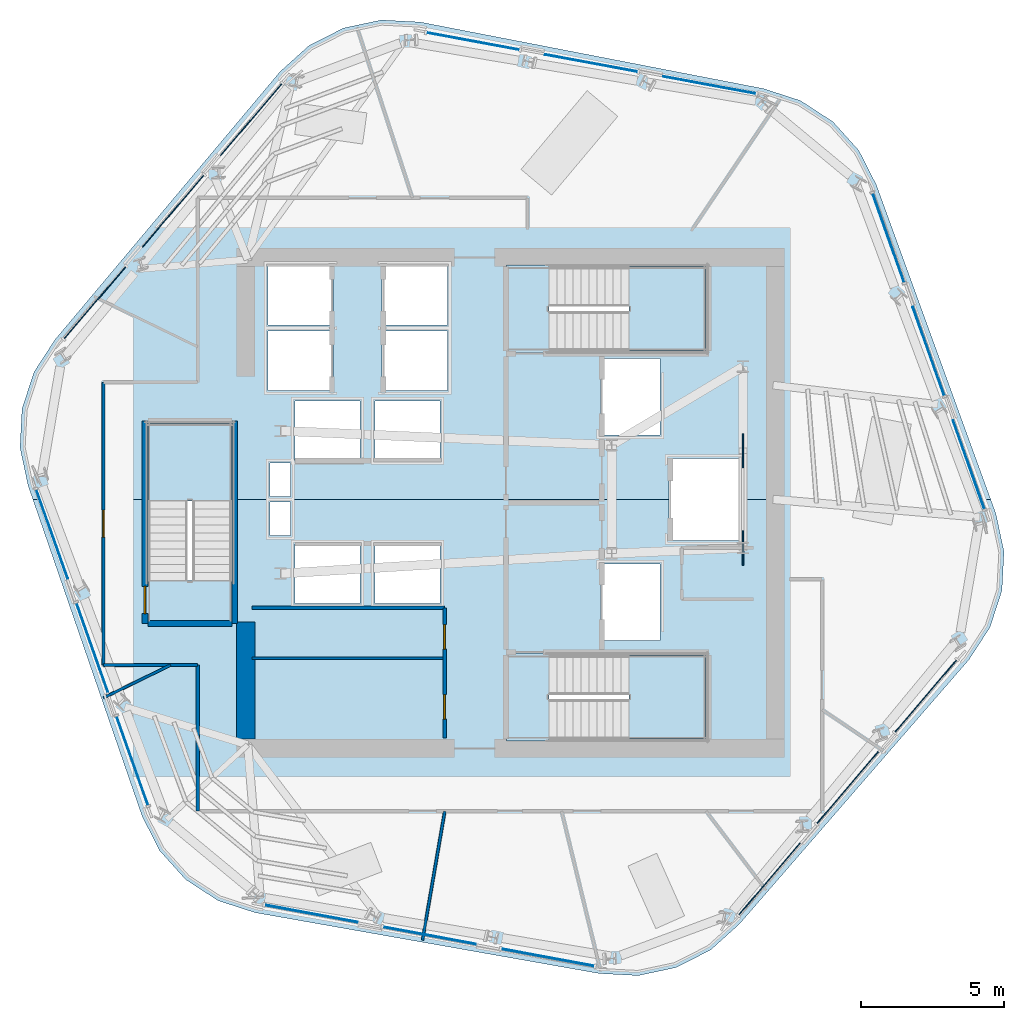
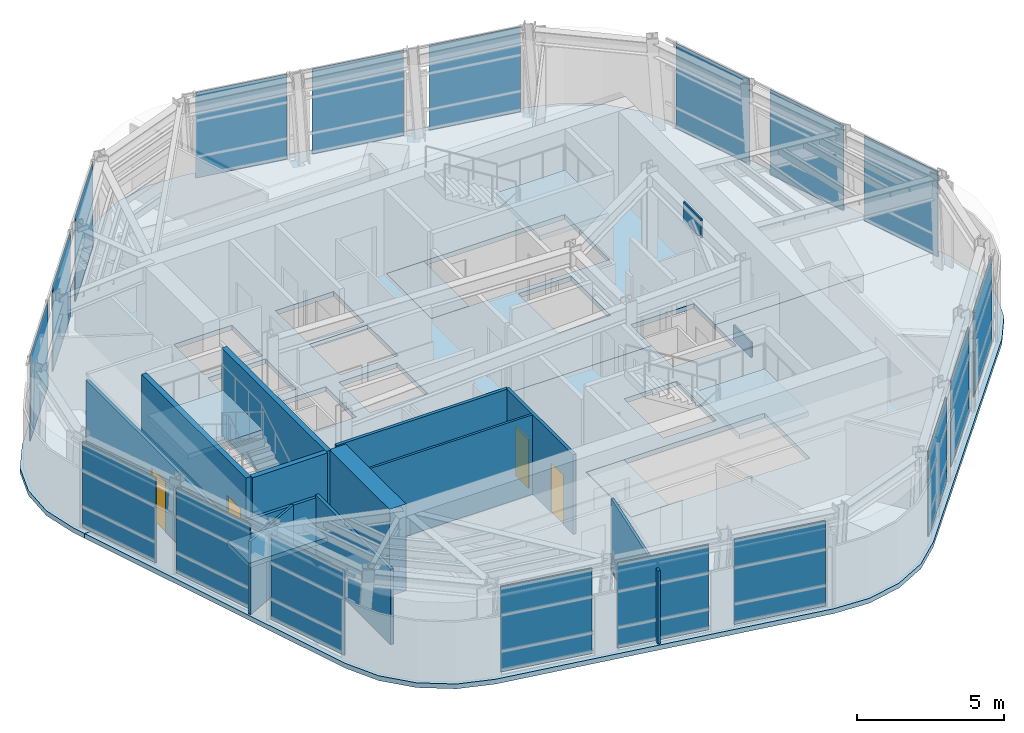
# One storey, part 5 of 12: 20 plates, 12 walls, 8 slabs, 4 doors, 4 openings, 9 elements without a shape of their own.
"""IFC4 building model written with IfcOpenShell, lengths in metres."""

import ifcopenshell
import ifcopenshell.guid

model = None  # the IFC model being written
_history = None  # IfcOwnerHistory: only IFC2X3 demands one
_inside = {}  # id of a spatial element -> (the spatial element, [elements in it])
_under = {}  # id of a project, library or spatial element -> (it, [spatial elements below it])
_declared = {}  # id of a project -> (the project, [libraries it declares])
_typed = {}  # id of a type object -> (the type object, [elements of that type])
_made_of = {}  # id of a material, layer set ... -> (it, [elements and type objects made of it])


def new_model(schema):
    """Start an empty IFC model of exactly this schema.

    Asked for "IFC4X3", IfcOpenShell would pick the latest addendum, in which some entities
    have other attributes; the version numbers below select the first issue.
    IFC2X3 requires an IfcOwnerHistory on every rooted entity: one is made here for all.
    """
    global model, _history
    if schema == "IFC4X3":
        model = ifcopenshell.file(schema_version=(4, 3, 0, 0))
    else:
        model = ifcopenshell.file(schema=schema)
    _inside.clear()
    _under.clear()
    _declared.clear()
    _typed.clear()
    _made_of.clear()
    _history = None
    if model.schema == "IFC2X3":
        org = make("IfcOrganization", Name="unknown")
        user = make(
            "IfcPersonAndOrganization",
            ThePerson=make("IfcPerson", FamilyName="unknown"),
            TheOrganization=org,
        )
        app = make(
            "IfcApplication",
            ApplicationDeveloper=org,
            Version="unknown",
            ApplicationFullName="unknown",
            ApplicationIdentifier="unknown",
        )
        _history = make(
            "IfcOwnerHistory",
            OwningUser=user,
            OwningApplication=app,
            ChangeAction="ADDED",
            CreationDate=0,
        )
    return model


def make(cls, **values):
    """One entity of the class cls with the attributes given. An attribute that is None is left unset."""
    return model.create_entity(
        cls, **{name: value for name, value in values.items() if value is not None}
    )


def rooted(cls, **values):
    """An entity with a GlobalId (a new one), such as an element, a storey or a relation."""
    return make(cls, GlobalId=ifcopenshell.guid.new(), OwnerHistory=_history, **values)


def si_unit(unit_type, name, prefix=None):
    """IfcSIUnit, for example si_unit("LENGTHUNIT", "METRE", prefix="MILLI")."""
    return make("IfcSIUnit", UnitType=unit_type, Prefix=prefix, Name=name)


def assignment(units):
    """IfcUnitAssignment: the units of a project."""
    return None if units is None else make("IfcUnitAssignment", Units=units)


def point(xyz):
    """IfcCartesianPoint."""
    return None if xyz is None else make("IfcCartesianPoint", Coordinates=xyz)


def direction(xyz):
    """IfcDirection."""
    return None if xyz is None else make("IfcDirection", DirectionRatios=xyz)


def frame(location, z_axis=None, x_axis=None):
    """IfcAxis2Placement3D, a coordinate frame: its origin and axes. An axis left out is left unset."""
    return make(
        "IfcAxis2Placement3D",
        Location=point(location),
        Axis=direction(z_axis),
        RefDirection=direction(x_axis),
    )


def frame_2d(location, x_axis=None):
    """IfcAxis2Placement2D, a coordinate frame in the plane: its origin and x axis."""
    return make(
        "IfcAxis2Placement2D", Location=point(location), RefDirection=direction(x_axis)
    )


def origin():
    """The frame at (0, 0, 0) with its axes left unset."""
    return frame((0.0, 0.0, 0.0))


def origin_2d():
    """The frame at (0, 0) in the plane with its x axis left unset."""
    return frame_2d((0.0, 0.0))


def place(relative_to, where):
    """IfcLocalPlacement: puts the frame where relative to a parent placement (None: the world)."""
    return make(
        "IfcLocalPlacement", PlacementRelTo=relative_to, RelativePlacement=where
    )


def context(
    kind, dimensions, precision=None, world=None, true_north=None, identifier=None
):
    """IfcGeometricRepresentationContext, for example the 3D "Model" context."""
    return make(
        "IfcGeometricRepresentationContext",
        ContextIdentifier=identifier,
        ContextType=kind,
        CoordinateSpaceDimension=dimensions,
        Precision=precision,
        WorldCoordinateSystem=world,
        TrueNorth=true_north,
    )


def subcontext(parent, identifier, kind, view, scale=None):
    """IfcGeometricRepresentationSubContext, for example "Body" below "Model"."""
    return make(
        "IfcGeometricRepresentationSubContext",
        ContextIdentifier=identifier,
        ContextType=kind,
        ParentContext=parent,
        TargetScale=scale,
        TargetView=view,
    )


def project(units=None, contexts=None):
    """IfcProject with its units and contexts."""
    return rooted(
        "IfcProject",
        Name="project",
        RepresentationContexts=contexts,
        UnitsInContext=assignment(units),
    )


def spatial(cls, under=None, at=None, **own):
    """A site, building, storey or space (cls), placed at a placement, below another one or the project."""
    s = rooted(cls, ObjectPlacement=at, **own)
    if under is not None:
        _under.setdefault(under.id(), (under, []))[1].append(s)
    return s


def polyline(points):
    """IfcPolyline through the points."""
    return make("IfcPolyline", Points=[point(p) for p in points])


def profile(cls, at=None, kind="AREA", **sizes):
    """A parametric profile (cls). Its sizes go by their IFC names, for example OverallWidth=200.0."""
    return make(cls, ProfileType=kind, Position=at, **sizes)


def rectangle(**sizes):
    """IfcRectangleProfileDef."""
    return profile("IfcRectangleProfileDef", **sizes)


def outline(outer, holes=None, kind="AREA"):
    """IfcArbitraryClosedProfileDef: a profile drawn as a closed curve; with holes, ...WithVoids."""
    if holes is None:
        return make("IfcArbitraryClosedProfileDef", ProfileType=kind, OuterCurve=outer)
    return make(
        "IfcArbitraryProfileDefWithVoids",
        ProfileType=kind,
        OuterCurve=outer,
        InnerCurves=holes,
    )


def extrude(swept, where, along, depth):
    """IfcExtrudedAreaSolid: the profile swept, set in the frame where, extruded along a direction by depth."""
    return make(
        "IfcExtrudedAreaSolid",
        SweptArea=swept,
        Position=where,
        ExtrudedDirection=direction(along),
        Depth=depth,
    )


def shape(context_of_items, identifier, shape_type, items):
    """IfcShapeRepresentation: the items that make up one representation, for example the "Body"."""
    return make(
        "IfcShapeRepresentation",
        ContextOfItems=context_of_items,
        RepresentationIdentifier=identifier,
        RepresentationType=shape_type,
        Items=items,
    )


def material(Name=None, Category=None):
    """IfcMaterial."""
    return make("IfcMaterial", Name=Name, Category=Category)


def layer(
    of_material, thickness, ventilated=None, Name=None, Category=None, Priority=None
):
    """IfcMaterialLayer: one layer of a wall or slab, of a material (None: an air gap)."""
    return make(
        "IfcMaterialLayer",
        Material=of_material,
        LayerThickness=thickness,
        IsVentilated=ventilated,
        Name=Name,
        Category=Category,
        Priority=Priority,
    )


def layer_set(layers, Name=None):
    """IfcMaterialLayerSet."""
    return make("IfcMaterialLayerSet", MaterialLayers=layers, LayerSetName=Name)


def made_of(thing, what):
    """Note that an element or type object is made of a material, layer set ...; save() writes the relation."""
    if what is not None:
        _made_of.setdefault(what.id(), (what, []))[1].append(thing)
    return thing


def type_object(cls, material=None, **own):
    """A type object (cls), such as IfcWallType, which elements share."""
    return made_of(rooted(cls, **own), material)


def element(
    cls,
    number,
    at=None,
    inside=None,
    cuts=None,
    type_object=None,
    material=None,
    context=None,
    identifier="Body",
    shape_type=None,
    held_by="IfcProductDefinitionShape",
    body=None,
    shapes=None,
    **own,
):
    """One element of the class cls, such as IfcWall. Its Tag is "e" and its number.

    at: its placement. inside: the storey or other place that contains it. cuts: it is an
    opening in that element (IfcRelVoidsElement). A single representation is given by context,
    identifier, shape_type and body (its items); several are given by shapes. held_by: the class
    of the entity that holds the representations. save() writes the other relations.
    """
    e = rooted(cls, Tag="e%d" % number, ObjectPlacement=at, **own)
    if body is not None:
        shapes = [shape(context, identifier, shape_type, body)]
    if shapes is not None:
        e.Representation = make(held_by, Representations=shapes)
    if inside is not None:
        _inside.setdefault(inside.id(), (inside, []))[1].append(e)
    if cuts is not None:
        rooted(
            "IfcRelVoidsElement", RelatingBuildingElement=cuts, RelatedOpeningElement=e
        )
    if type_object is not None:
        _typed.setdefault(type_object.id(), (type_object, []))[1].append(e)
    return made_of(e, material)


def fill(opening, filler):
    """IfcRelFillsElement: the door or window that sits in an opening."""
    return rooted(
        "IfcRelFillsElement",
        RelatingOpeningElement=opening,
        RelatedBuildingElement=filler,
    )


def aggregate(whole, parts):
    """IfcRelAggregates: a whole, such as a stair, and the parts it consists of."""
    return rooted("IfcRelAggregates", RelatingObject=whole, RelatedObjects=parts)


def save(model, path):
    """Write the relations noted so far, then the file.

    IfcRelAggregates (storeys below a building ...), IfcRelContainedInSpatialStructure (elements
    in a storey), IfcRelDefinesByType, IfcRelAssociatesMaterial and IfcRelDeclares: one each for
    every whole, place, type object, material and project.
    """
    for whole, parts in _under.values():
        aggregate(whole, parts)
    for where, things in _inside.values():
        rooted(
            "IfcRelContainedInSpatialStructure",
            RelatedElements=things,
            RelatingStructure=where,
        )
    for kind, things in _typed.values():
        rooted("IfcRelDefinesByType", RelatedObjects=things, RelatingType=kind)
    for what, things in _made_of.values():
        rooted("IfcRelAssociatesMaterial", RelatedObjects=things, RelatingMaterial=what)
    for by, libraries in _declared.values():
        rooted("IfcRelDeclares", RelatingContext=by, RelatedDefinitions=libraries)
    model.write(path)


model = new_model("IFC4")

# Units and contexts
model_context = context("Model", 3, precision=1e-05, world=origin(), true_north=direction((0.0, 1.0)))
body_context = subcontext(model_context, "Body", "Model", "MODEL_VIEW")
ifc_project = project(units=[si_unit("LENGTHUNIT", "METRE"), si_unit("AREAUNIT", "SQUARE_METRE"), si_unit("VOLUMEUNIT", "CUBIC_METRE"), si_unit("PLANEANGLEUNIT", "RADIAN"), si_unit("MASSUNIT", "GRAM", prefix="KILO")], contexts=[model_context])

# Site, building, storey
site_placement = place(None, origin())
site = spatial("IfcSite", under=ifc_project, at=site_placement, CompositionType="ELEMENT")
building_placement = place(site_placement, origin())
building = spatial("IfcBuilding", under=site, at=building_placement, Name="Valkerne Bourse Tower", CompositionType="ELEMENT")
storey_placement = place(building_placement, frame((0.0, 0.0, 236.0)))
storey = spatial("IfcBuildingStorey", under=building, at=storey_placement, Name="L60", CompositionType="ELEMENT", Elevation=236.0)

# Curtain wall, plates
ifc_material_1 = material(Name="Aluminium AA 6063-T6", Category="aluminium")
ifc_layer_1 = layer(ifc_material_1, 0.239990234375)
ifc_layer_set_1 = layer_set([ifc_layer_1], Name="Aluminium AA 6063-T6")
curtain_wall_type = type_object("IfcCurtainWallType", Name="CW-04", PredefinedType="NOTDEFINED", material=ifc_layer_set_1)
curtain_wall_1_placement = place(storey_placement, origin())
curtain_wall_1 = element("IfcCurtainWall", 1, at=curtain_wall_1_placement, inside=storey, type_object=curtain_wall_type, Name="L60 Hexagonal Stick Curtain Wall Face 1", PredefinedType="NOTDEFINED")
ifc_material_2 = material(Name="Glass IGU Low-E Double Glazed", Category="glass")
ifc_layer_2 = layer(ifc_material_2, 0.031982421875)
ifc_layer_set_2 = layer_set([ifc_layer_2], Name="Glass IGU Low-E Double Glazed")
plate_type_1 = type_object("IfcPlateType", Name="CW-PNL-IGU-32", PredefinedType="CURTAIN_PANEL", material=ifc_layer_set_2)
plate_1_placement = place(storey_placement, frame((53.773193359375, 41.510986328125, 0.030029296875), z_axis=(0.0, 0.0, 1.0), x_axis=(-0.983254127122, 0.182239736328, 0.0)))
plate_1 = element("IfcPlate", 2, at=plate_1_placement, type_object=plate_type_1, Name="CW-L60-F1 Curtain Panel 00", PredefinedType="CURTAIN_PANEL", context=body_context, shape_type="SweptSolid", body=[
    extrude(rectangle(XDim=3.2919921875, YDim=0.031982421875, at=origin_2d()), origin(), (0.0, 0.0, 1.0), 3.5400390625),
])
plate_2_placement = place(storey_placement, frame((49.631591796875, 42.278564453125, 0.030029296875), z_axis=(0.0, 0.0, 1.0), x_axis=(-0.983258381066, 0.182216783154, 0.0)))
plate_2 = element("IfcPlate", 3, at=plate_2_placement, type_object=plate_type_1, Name="CW-L60-F1 Curtain Panel 01", PredefinedType="CURTAIN_PANEL", context=body_context, shape_type="SweptSolid", body=[
    extrude(rectangle(XDim=3.2919921875, YDim=0.031982421875, at=origin_2d()), origin(), (0.0, 0.0, 1.0), 3.5400390625),
])
plate_3_placement = place(storey_placement, frame((45.490234375, 43.046142578125, 0.030029296875), z_axis=(0.0, 0.0, 1.0), x_axis=(-0.983254127122, 0.182239736328, 0.0)))
plate_3 = element("IfcPlate", 4, at=plate_3_placement, type_object=plate_type_1, Name="CW-L60-F1 Curtain Panel 02", PredefinedType="CURTAIN_PANEL", context=body_context, shape_type="SweptSolid", body=[
    extrude(rectangle(XDim=3.2919921875, YDim=0.031982421875, at=origin_2d()), origin(), (0.0, 0.0, 1.0), 3.5400390625),
])
aggregate(curtain_wall_1, [plate_1, plate_2, plate_3])

curtain_wall_2_placement = place(storey_placement, origin())
curtain_wall_2 = element("IfcCurtainWall", 5, at=curtain_wall_2_placement, inside=storey, type_object=curtain_wall_type, Name="L60 Hexagonal Stick Curtain Wall Face 2", PredefinedType="NOTDEFINED")
plate_4_placement = place(storey_placement, frame((37.7197265625, 40.29443359375, 0.030029296875), z_axis=(0.0, 0.0, 1.0), x_axis=(-0.649454964486, -0.760400058591, 0.0)))
plate_4 = element("IfcPlate", 6, at=plate_4_placement, type_object=plate_type_1, Name="CW-L60-F2 Curtain Panel 00", PredefinedType="CURTAIN_PANEL", context=body_context, shape_type="SweptSolid", body=[
    extrude(rectangle(XDim=3.2919921875, YDim=0.031982421875, at=origin_2d()), origin(), (0.0, 0.0, 1.0), 3.5400390625),
])
plate_5_placement = place(storey_placement, frame((34.984130859375, 37.091552734375, 0.030029296875), z_axis=(0.0, 0.0, 1.0), x_axis=(-0.649454964486, -0.760400058591, 0.0)))
plate_5 = element("IfcPlate", 7, at=plate_5_placement, type_object=plate_type_1, Name="CW-L60-F2 Curtain Panel 01", PredefinedType="CURTAIN_PANEL", context=body_context, shape_type="SweptSolid", body=[
    extrude(rectangle(XDim=3.2919921875, YDim=0.031982421875, at=origin_2d()), origin(), (0.0, 0.0, 1.0), 3.5400390625),
])
plate_6_placement = place(storey_placement, frame((32.248779296875, 33.888916015625, 0.030029296875), z_axis=(0.0, 0.0, 1.0), x_axis=(-0.649441236502, -0.760411783398, 0.0)))
plate_6 = element("IfcPlate", 8, at=plate_6_placement, type_object=plate_type_1, Name="CW-L60-F2 Curtain Panel 02", PredefinedType="CURTAIN_PANEL", context=body_context, shape_type="SweptSolid", body=[
    extrude(rectangle(XDim=3.2919921875, YDim=0.031982421875, at=origin_2d()), origin(), (0.0, 0.0, 1.0), 3.5400390625),
])
aggregate(curtain_wall_2, [plate_4, plate_5, plate_6])

curtain_wall_3_placement = place(storey_placement, origin())
curtain_wall_3 = element("IfcCurtainWall", 9, at=curtain_wall_3_placement, inside=storey, type_object=curtain_wall_type, Name="L60 Hexagonal Stick Curtain Wall Face 3", PredefinedType="NOTDEFINED")
plate_7_placement = place(storey_placement, frame((30.74658203125, 25.783447265625, 0.030029296875), z_axis=(0.0, 0.0, 1.0), x_axis=(0.333808466695, -0.942640921859, 0.0)))
plate_7 = element("IfcPlate", 10, at=plate_7_placement, type_object=plate_type_1, Name="CW-L60-F3 Curtain Panel 00", PredefinedType="CURTAIN_PANEL", context=body_context, shape_type="SweptSolid", body=[
    extrude(rectangle(XDim=3.2919921875, YDim=0.031982421875, at=origin_2d()), origin(), (0.0, 0.0, 1.0), 3.5400390625),
])
plate_8_placement = place(storey_placement, frame((32.152587890625, 21.81298828125, 0.030029296875), z_axis=(0.0, 0.0, 1.0), x_axis=(0.333808466695, -0.942640921859, 0.0)))
plate_8 = element("IfcPlate", 11, at=plate_8_placement, type_object=plate_type_1, Name="CW-L60-F3 Curtain Panel 01", PredefinedType="CURTAIN_PANEL", context=body_context, shape_type="SweptSolid", body=[
    extrude(rectangle(XDim=3.2919921875, YDim=0.031982421875, at=origin_2d()), origin(), (0.0, 0.0, 1.0), 3.5400390625),
])
plate_9_placement = place(storey_placement, frame((33.55859375, 17.842529296875, 0.030029296875), z_axis=(0.0, 0.0, 1.0), x_axis=(0.33380099624, -0.942643567267, 0.0)))
plate_9 = element("IfcPlate", 12, at=plate_9_placement, type_object=plate_type_1, Name="CW-L60-F3 Curtain Panel 02", PredefinedType="CURTAIN_PANEL", context=body_context, shape_type="SweptSolid", body=[
    extrude(rectangle(XDim=3.2919921875, YDim=0.031982421875, at=origin_2d()), origin(), (0.0, 0.0, 1.0), 3.5400390625),
])
aggregate(curtain_wall_3, [plate_7, plate_8, plate_9])

curtain_wall_4_placement = place(storey_placement, origin())
curtain_wall_4 = element("IfcCurtainWall", 13, at=curtain_wall_4_placement, inside=storey, type_object=curtain_wall_type, Name="L60 Hexagonal Stick Curtain Wall Face 4", PredefinedType="NOTDEFINED")
plate_10_placement = place(storey_placement, frame((39.826904296875, 12.489013671875, 0.030029296875), z_axis=(0.0, 0.0, 1.0), x_axis=(0.983254127122, -0.182239736328, 0.0)))
plate_10 = element("IfcPlate", 14, at=plate_10_placement, type_object=plate_type_1, Name="CW-L60-F4 Curtain Panel 00", PredefinedType="CURTAIN_PANEL", context=body_context, shape_type="SweptSolid", body=[
    extrude(rectangle(XDim=3.2919921875, YDim=0.031982421875, at=origin_2d()), origin(), (0.0, 0.0, 1.0), 3.5400390625),
])
plate_11_placement = place(storey_placement, frame((43.96826171875, 11.721435546875, 0.030029296875), z_axis=(0.0, 0.0, 1.0), x_axis=(0.983258381066, -0.182216783154, 0.0)))
plate_11 = element("IfcPlate", 15, at=plate_11_placement, type_object=plate_type_1, Name="CW-L60-F4 Curtain Panel 01", PredefinedType="CURTAIN_PANEL", context=body_context, shape_type="SweptSolid", body=[
    extrude(rectangle(XDim=3.2919921875, YDim=0.031982421875, at=origin_2d()), origin(), (0.0, 0.0, 1.0), 3.5400390625),
])
plate_12_placement = place(storey_placement, frame((48.10986328125, 10.953857421875, 0.030029296875), z_axis=(0.0, 0.0, 1.0), x_axis=(0.983254127122, -0.182239736328, 0.0)))
plate_12 = element("IfcPlate", 16, at=plate_12_placement, type_object=plate_type_1, Name="CW-L60-F4 Curtain Panel 02", PredefinedType="CURTAIN_PANEL", context=body_context, shape_type="SweptSolid", body=[
    extrude(rectangle(XDim=3.2919921875, YDim=0.031982421875, at=origin_2d()), origin(), (0.0, 0.0, 1.0), 3.5400390625),
])
aggregate(curtain_wall_4, [plate_10, plate_11, plate_12])

curtain_wall_5_placement = place(storey_placement, origin())
curtain_wall_5 = element("IfcCurtainWall", 17, at=curtain_wall_5_placement, inside=storey, type_object=curtain_wall_type, Name="L60 Hexagonal Stick Curtain Wall Face 5", PredefinedType="NOTDEFINED")
plate_13_placement = place(storey_placement, frame((55.88037109375, 13.70556640625, 0.030029296875), z_axis=(0.0, 0.0, 1.0), x_axis=(0.649454964486, 0.760400058591, 0.0)))
plate_13 = element("IfcPlate", 18, at=plate_13_placement, type_object=plate_type_1, Name="CW-L60-F5 Curtain Panel 00", PredefinedType="CURTAIN_PANEL", context=body_context, shape_type="SweptSolid", body=[
    extrude(rectangle(XDim=3.2919921875, YDim=0.031982421875, at=origin_2d()), origin(), (0.0, 0.0, 1.0), 3.5400390625),
])
plate_14_placement = place(storey_placement, frame((58.61572265625, 16.908447265625, 0.030029296875), z_axis=(0.0, 0.0, 1.0), x_axis=(0.649454964486, 0.760400058591, 0.0)))
plate_14 = element("IfcPlate", 19, at=plate_14_placement, type_object=plate_type_1, Name="CW-L60-F5 Curtain Panel 01", PredefinedType="CURTAIN_PANEL", context=body_context, shape_type="SweptSolid", body=[
    extrude(rectangle(XDim=3.2919921875, YDim=0.031982421875, at=origin_2d()), origin(), (0.0, 0.0, 1.0), 3.5400390625),
])
plate_15_placement = place(storey_placement, frame((61.351318359375, 20.111083984375, 0.030029296875), z_axis=(0.0, 0.0, 1.0), x_axis=(0.649441236502, 0.760411783398, 0.0)))
plate_15 = element("IfcPlate", 20, at=plate_15_placement, type_object=plate_type_1, Name="CW-L60-F5 Curtain Panel 02", PredefinedType="CURTAIN_PANEL", context=body_context, shape_type="SweptSolid", body=[
    extrude(rectangle(XDim=3.2919921875, YDim=0.031982421875, at=origin_2d()), origin(), (0.0, 0.0, 1.0), 3.5400390625),
])
aggregate(curtain_wall_5, [plate_13, plate_14, plate_15])

curtain_wall_6_placement = place(storey_placement, origin())
curtain_wall_6 = element("IfcCurtainWall", 21, at=curtain_wall_6_placement, inside=storey, type_object=curtain_wall_type, Name="L60 Hexagonal Stick Curtain Wall Face 6", PredefinedType="NOTDEFINED")
plate_16_placement = place(storey_placement, frame((62.853515625, 28.216552734375, 0.030029296875), z_axis=(0.0, 0.0, 1.0), x_axis=(-0.333808466695, 0.942640921859, 0.0)))
plate_16 = element("IfcPlate", 22, at=plate_16_placement, type_object=plate_type_1, Name="CW-L60-F6 Curtain Panel 00", PredefinedType="CURTAIN_PANEL", context=body_context, shape_type="SweptSolid", body=[
    extrude(rectangle(XDim=3.2919921875, YDim=0.031982421875, at=origin_2d()), origin(), (0.0, 0.0, 1.0), 3.5400390625),
])
plate_17_placement = place(storey_placement, frame((61.447509765625, 32.18701171875, 0.030029296875), z_axis=(0.0, 0.0, 1.0), x_axis=(-0.333808466695, 0.942640921859, 0.0)))
plate_17 = element("IfcPlate", 23, at=plate_17_placement, type_object=plate_type_1, Name="CW-L60-F6 Curtain Panel 01", PredefinedType="CURTAIN_PANEL", context=body_context, shape_type="SweptSolid", body=[
    extrude(rectangle(XDim=3.2919921875, YDim=0.031982421875, at=origin_2d()), origin(), (0.0, 0.0, 1.0), 3.5400390625),
])
plate_18_placement = place(storey_placement, frame((60.04150390625, 36.1572265625, 0.030029296875), z_axis=(0.0, 0.0, 1.0), x_axis=(-0.33380099624, 0.942643567267, 0.0)))
plate_18 = element("IfcPlate", 24, at=plate_18_placement, type_object=plate_type_1, Name="CW-L60-F6 Curtain Panel 02", PredefinedType="CURTAIN_PANEL", context=body_context, shape_type="SweptSolid", body=[
    extrude(rectangle(XDim=3.2919921875, YDim=0.031982421875, at=origin_2d()), origin(), (0.0, 0.0, 1.0), 3.5400390625),
])
aggregate(curtain_wall_6, [plate_16, plate_17, plate_18])

# Plates
ifc_material_3 = material(Name="Steel ASTM A572 Grade 50", Category="steel")
ifc_layer_3 = layer(ifc_material_3, 0.06005859375)
ifc_layer_set_3 = layer_set([ifc_layer_3], Name="Steel ASTM A572 Grade 50")
plate_type_2 = type_object("IfcPlateType", Name="PLT-GUS-60", PredefinedType="SHEET", material=ifc_layer_set_3)
for number, where, z_axis, x_axis, name in (
    (25, (54.949951171875, 25.300048828125, -0.18017578125), (0.0, 0.0, 1.0), (0.0, 1.0, 0.0), "L60 Brace Node Gusset Plate PLT-GUS-END-L60-436"),
    (26, (54.949951171875, 28.699951171875, 2.89404296875), (0.0, 0.0, 1.0), (0.0, 1.0, 0.0), "L60 Brace Node Gusset Plate PLT-GUS-END-L60-437"),
):
    element("IfcPlate", number, at=place(storey_placement, frame(where, z_axis=z_axis, x_axis=x_axis)), inside=storey, type_object=plate_type_2, Name=name, PredefinedType="SHEET", context=body_context, shape_type="SweptSolid", body=[
        extrude(rectangle(XDim=1.199951171875, YDim=0.06005859375, at=origin_2d()), origin(), (0.0, 0.0, 1.0), 0.800048828125),
    ])

# Slabs
ifc_material_4 = material(Name="Concrete C40/50", Category="concrete")
ifc_layer_4 = layer(ifc_material_4, 0.25)
ifc_layer_set_4 = layer_set([ifc_layer_4], Name="Concrete C40/50")
slab_type_1 = type_object("IfcSlabType", Name="SLB-RMP-LND-250", PredefinedType="LANDING", material=ifc_layer_set_4)
slab_1_placement = place(storey_placement, frame((0.0, 0.0, -0.199951171875)))
element("IfcSlab", 27, at=slab_1_placement, inside=storey, type_object=slab_type_1, Name="L60 ST-1 Floor Landing Slab", PredefinedType="LANDING", context=body_context, shape_type="SweptSolid", body=[
    extrude(outline(polyline([(46.669921875, 18.5400390625), (48.14990234375, 18.5400390625), (48.14990234375, 21.610107421875), (46.669921875, 21.610107421875), (46.669921875, 18.5400390625)])), origin(), (0.0, 0.0, 1.0), 0.199951171875),
])
slab_2_placement = place(storey_placement, frame((0.0, 0.0, -0.199951171875)))
element("IfcSlab", 28, at=slab_2_placement, inside=storey, type_object=slab_type_1, Name="L60 ST-2 Floor Landing Slab", PredefinedType="LANDING", context=body_context, shape_type="SweptSolid", body=[
    extrude(outline(polyline([(46.669921875, 32.139892578125), (48.14990234375, 32.139892578125), (48.14990234375, 35.2099609375), (46.669921875, 35.2099609375), (46.669921875, 32.139892578125)])), origin(), (0.0, 0.0, 1.0), 0.199951171875),
])
slab_3_placement = place(storey_placement, frame((0.0, 0.0, -0.199951171875)))
element("IfcSlab", 29, at=slab_3_placement, inside=storey, type_object=slab_type_1, Name="L60 ST-3 Floor Landing Slab", PredefinedType="LANDING", context=body_context, shape_type="SweptSolid", body=[
    extrude(outline(polyline([(37.110107421875, 22.669921875), (37.110107421875, 24.14990234375), (34.0400390625, 24.14990234375), (34.0400390625, 22.669921875), (37.110107421875, 22.669921875)])), origin(), (0.0, 0.0, 1.0), 0.199951171875),
])

# Stair, slab
stair_type = type_object("IfcStairType", Name="ST-CORE-1400", PredefinedType="HALF_TURN_STAIR", material=ifc_material_4)
stair_1_placement = place(storey_placement, origin())
stair_1 = element("IfcStair", 30, at=stair_1_placement, inside=storey, type_object=stair_type, Name="L60 ST-1", PredefinedType="HALF_TURN_STAIR")
ifc_layer_5 = layer(ifc_material_4, 0.179931640625)
ifc_layer_set_5 = layer_set([ifc_layer_5], Name="Concrete C40/50")
slab_type_2 = type_object("IfcSlabType", Name="SLB-ST-LND-180", PredefinedType="LANDING", material=ifc_layer_set_5)
slab_4_placement = place(storey_placement, frame((0.0, 0.0, 1.699951171875)))
slab_4 = element("IfcSlab", 31, at=slab_4_placement, type_object=slab_type_2, Name="ST-1 landing 1", PredefinedType="LANDING", context=body_context, shape_type="SweptSolid", body=[
    extrude(outline(polyline([(50.949951171875, 18.60009765625), (53.64990234375, 18.60009765625), (53.64990234375, 21.550048828125), (50.949951171875, 21.550048828125), (50.949951171875, 18.60009765625)])), origin(), (0.0, 0.0, 1.0), 0.199951171875),
])
aggregate(stair_1, [slab_4])

stair_2_placement = place(storey_placement, origin())
stair_2 = element("IfcStair", 32, at=stair_2_placement, inside=storey, type_object=stair_type, Name="L60 ST-2", PredefinedType="HALF_TURN_STAIR")
slab_5_placement = place(storey_placement, frame((0.0, 0.0, 1.699951171875)))
slab_5 = element("IfcSlab", 33, at=slab_5_placement, type_object=slab_type_2, Name="ST-2 landing 1", PredefinedType="LANDING", context=body_context, shape_type="SweptSolid", body=[
    extrude(outline(polyline([(50.949951171875, 32.199951171875), (53.64990234375, 32.199951171875), (53.64990234375, 35.14990234375), (50.949951171875, 35.14990234375), (50.949951171875, 32.199951171875)])), origin(), (0.0, 0.0, 1.0), 0.199951171875),
])
aggregate(stair_2, [slab_5])

stair_3_placement = place(storey_placement, origin())
stair_3 = element("IfcStair", 34, at=stair_3_placement, inside=storey, type_object=stair_type, Name="L60 ST-3", PredefinedType="HALF_TURN_STAIR")
slab_6_placement = place(storey_placement, frame((0.0, 0.0, 1.699951171875)))
slab_6 = element("IfcSlab", 35, at=slab_6_placement, type_object=slab_type_2, Name="ST-3 landing 1", PredefinedType="LANDING", context=body_context, shape_type="SweptSolid", body=[
    extrude(outline(polyline([(37.050048828125, 26.949951171875), (37.050048828125, 29.64990234375), (34.10009765625, 29.64990234375), (34.10009765625, 26.949951171875), (37.050048828125, 26.949951171875)])), origin(), (0.0, 0.0, 1.0), 0.199951171875),
])
aggregate(stair_3, [slab_6])

# Slabs
ifc_layer_6 = layer(ifc_material_4, 0.199951171875)
ifc_layer_set_6 = layer_set([ifc_layer_6], Name="Concrete C40/50")
slab_type_3 = type_object("IfcSlabType", Name="SLB-TOW-200", PredefinedType="FLOOR", material=ifc_layer_set_6)
slab_7_placement = place(storey_placement, frame((0.0, 0.0, -0.199951171875)))
element("IfcSlab", 36, at=slab_7_placement, inside=storey, type_object=slab_type_3, Name="L60 Hexagonal Composite Floor Slab S", PredefinedType="FLOOR", context=body_context, shape_type="SweptSolid", body=[
    extrude(outline(polyline([(64.090087890625, 25.164306640625), (64.01904296875, 23.80859375), (63.599609375, 22.517578125), (62.860107421875, 21.379150390625), (54.8251953125, 12.126708984375), (53.81640625, 11.218505859375), (52.606689453125, 10.602294921875), (51.27880859375, 10.320068359375), (49.92333984375, 10.39111328125), (37.856201171875, 12.52490234375), (36.565185546875, 12.944091796875), (35.4267578125, 13.68359375), (34.518310546875, 14.6923828125), (33.902099609375, 15.90185546875), (30.07470703125, 27.0), (34.034912109375, 27.0), (34.034912109375, 22.6650390625), (37.114990234375, 22.6650390625), (37.114990234375, 27.0), (52.360107421875, 27.0), (52.360107421875, 25.56005859375), (54.840087890625, 25.56005859375), (54.840087890625, 27.0), (63.623291015625, 27.0), (63.807861328125, 26.4921875), (64.090087890625, 25.164306640625)]), holes=[polyline([(41.5400390625, 25.43994140625), (39.260009765625, 25.43994140625), (39.260009765625, 23.360107421875), (41.5400390625, 23.360107421875), (41.5400390625, 25.43994140625)]), polyline([(44.340087890625, 25.43994140625), (42.06005859375, 25.43994140625), (42.06005859375, 23.360107421875), (44.340087890625, 23.360107421875), (44.340087890625, 25.43994140625)]), polyline([(39.10009765625, 26.89990234375), (38.3798828125, 26.89990234375), (38.3798828125, 25.72998046875), (39.10009765625, 25.72998046875), (39.10009765625, 26.89990234375)]), polyline([(53.675048828125, 21.614990234375), (46.6650390625, 21.614990234375), (46.6650390625, 18.534912109375), (53.675048828125, 18.534912109375), (53.675048828125, 21.614990234375)]), polyline([(52.0400390625, 24.739990234375), (49.9599609375, 24.739990234375), (49.9599609375, 22.06005859375), (52.0400390625, 22.06005859375), (52.0400390625, 24.739990234375)])]), origin(), (0.0, 0.0, 1.0), 0.199951171875),
])
slab_8_placement = place(storey_placement, frame((0.0, 0.0, -0.199951171875)))
element("IfcSlab", 37, at=slab_8_placement, inside=storey, type_object=slab_type_3, Name="L60 Hexagonal Composite Floor Slab N", PredefinedType="FLOOR", context=body_context, shape_type="SweptSolid", body=[
    extrude(outline(polyline([(29.906982421875, 27.48681640625), (29.624755859375, 28.814453125), (29.69580078125, 30.170166015625), (30.115234375, 31.461181640625), (30.8544921875, 32.599609375), (38.736083984375, 41.983154296875), (39.744873046875, 42.8916015625), (40.954345703125, 43.5078125), (42.281982421875, 43.7900390625), (43.6376953125, 43.718994140625), (55.66796875, 41.386474609375), (56.958984375, 40.967041015625), (58.097412109375, 40.227783203125), (59.005859375, 39.218994140625), (59.6220703125, 38.009521484375), (63.623291015625, 27.0), (54.840087890625, 27.0), (54.840087890625, 28.43994140625), (52.360107421875, 28.43994140625), (52.360107421875, 27.0), (37.114990234375, 27.0), (37.114990234375, 29.675048828125), (34.034912109375, 29.675048828125), (34.034912109375, 27.0), (30.07470703125, 27.0), (29.906982421875, 27.48681640625)]), holes=[polyline([(39.10009765625, 28.27001953125), (38.3798828125, 28.27001953125), (38.3798828125, 27.10009765625), (39.10009765625, 27.10009765625), (39.10009765625, 28.27001953125)]), polyline([(41.5400390625, 30.43994140625), (39.260009765625, 30.43994140625), (39.260009765625, 28.360107421875), (41.5400390625, 28.360107421875), (41.5400390625, 30.43994140625)]), polyline([(40.590087890625, 32.889892578125), (38.31005859375, 32.889892578125), (38.31005859375, 30.81005859375), (40.590087890625, 30.81005859375), (40.590087890625, 32.889892578125)]), polyline([(40.590087890625, 35.18994140625), (38.31005859375, 35.18994140625), (38.31005859375, 33.110107421875), (40.590087890625, 33.110107421875), (40.590087890625, 35.18994140625)]), polyline([(44.340087890625, 30.43994140625), (42.06005859375, 30.43994140625), (42.06005859375, 28.360107421875), (44.340087890625, 28.360107421875), (44.340087890625, 30.43994140625)]), polyline([(52.0400390625, 31.93994140625), (49.9599609375, 31.93994140625), (49.9599609375, 29.260009765625), (52.0400390625, 29.260009765625), (52.0400390625, 31.93994140625)]), polyline([(44.590087890625, 32.889892578125), (42.31005859375, 32.889892578125), (42.31005859375, 30.81005859375), (44.590087890625, 30.81005859375), (44.590087890625, 32.889892578125)]), polyline([(53.675048828125, 35.215087890625), (46.6650390625, 35.215087890625), (46.6650390625, 32.135009765625), (53.675048828125, 32.135009765625), (53.675048828125, 35.215087890625)]), polyline([(44.590087890625, 35.18994140625), (42.31005859375, 35.18994140625), (42.31005859375, 33.110107421875), (44.590087890625, 33.110107421875), (44.590087890625, 35.18994140625)])]), origin(), (0.0, 0.0, 1.0), 0.199951171875),
])

# Wall
ifc_material_5 = material(Name="Concrete C55/67", Category="concrete")
ifc_layer_7 = layer(ifc_material_5, 0.64990234375)
ifc_layer_set_7 = layer_set([ifc_layer_7], Name="Concrete C55/67")
wall_type_1 = type_object("IfcWallType", Name="W-CORE-650", PredefinedType="SHEAR", material=ifc_layer_set_7)
wall_1_placement = place(storey_placement, frame((37.52490234375, 18.60009765625, 0.0), z_axis=(0.0, 0.0, 1.0), x_axis=(0.0, 1.0, 0.0)))
element("IfcWall", 38, at=wall_1_placement, inside=storey, type_object=wall_type_1, Name="L60 Core Shear Wall WEST-S", PredefinedType="SHEAR", context=body_context, shape_type="SweptSolid", body=[
    extrude(rectangle(XDim=4.099853515625, YDim=0.64990234375, at=frame_2d((2.0498046875, 0.0))), origin(), (0.0, 0.0, 1.0), 3.60009765625),
])

# Wall, openings, doors
ifc_material_6 = material(Name="Gypsum Board Steel-Stud Partition", Category="steel")
ifc_layer_8 = layer(ifc_material_6, 0.117919921875)
ifc_layer_set_8 = layer_set([ifc_layer_8], Name="Gypsum Board Steel-Stud Partition")
wall_type_2 = type_object("IfcWallType", Name="W-CORR-140", PredefinedType="PARTITIONING", material=ifc_layer_set_8)
wall_2_placement = place(storey_placement, frame((44.5, 18.64990234375, 0.0), z_axis=(0.0, 0.0, 1.0), x_axis=(0.0, 1.0, 0.0)))
wall_2 = element("IfcWall", 39, at=wall_2_placement, inside=storey, type_object=wall_type_2, Name="L60 LV7 Low-Bank East Wall", PredefinedType="PARTITIONING", context=body_context, shape_type="SweptSolid", body=[
    extrude(rectangle(XDim=4.550048828125, YDim=0.117919921875, at=frame_2d((2.27490234375, 0.0))), origin(), (0.0, 0.0, 1.0), 3.300048828125),
])
opening_1_placement = place(wall_2_placement, frame((0.64990234375, 0.0, 0.0)))
opening_1 = element("IfcOpeningElement", 40, at=opening_1_placement, cuts=wall_2, Name="Opening D-WC-900", PredefinedType="OPENING", context=body_context, shape_type="SweptSolid", body=[
    extrude(rectangle(XDim=0.860107421875, YDim=2.050048828125, at=frame_2d((0.43017578125, 1.02490234375))), frame((0.0, 0.06884765625, 0.0), z_axis=(0.0, -1.0, 0.0), x_axis=(1.0, 0.0, 0.0)), (0.0, 0.0, 1.0), 0.137939453125),
])
opening_2_placement = place(wall_2_placement, frame((3.10009765625, 0.0, 0.0)))
opening_2 = element("IfcOpeningElement", 41, at=opening_2_placement, cuts=wall_2, Name="Opening D-WC-900", PredefinedType="OPENING", context=body_context, shape_type="SweptSolid", body=[
    extrude(rectangle(XDim=0.860107421875, YDim=2.050048828125, at=frame_2d((0.43017578125, 1.02490234375))), frame((0.0, 0.06884765625, 0.0), z_axis=(0.0, -1.0, 0.0), x_axis=(1.0, 0.0, 0.0)), (0.0, 0.0, 1.0), 0.137939453125),
])
ifc_material_7 = material(Name="Architectural White Oak Timber", Category="wood")
door_type_1 = type_object("IfcDoorType", Name="DR-WC-900", OperationType="NOTDEFINED", PredefinedType="DOOR", material=ifc_material_7)
door_1_placement = place(opening_1_placement, origin())
door_1 = element("IfcDoor", 42, at=door_1_placement, inside=storey, type_object=door_type_1, Name="L60 Reprographics Office Door", OperationType="SINGLE_SWING_LEFT", OverallHeight=2.050048828125, OverallWidth=0.860107421875, PredefinedType="DOOR", context=body_context, shape_type="SweptSolid", body=[
    extrude(rectangle(XDim=0.860107421875, YDim=2.050048828125, at=frame_2d((0.43017578125, 1.02490234375))), frame((0.0, 0.02490234375, 0.0), z_axis=(0.0, -1.0, 0.0), x_axis=(1.0, 0.0, 0.0)), (0.0, 0.0, 1.0), 0.050048828125),
])
fill(opening_1, door_1)
door_2_placement = place(opening_2_placement, origin())
door_2 = element("IfcDoor", 43, at=door_2_placement, inside=storey, type_object=door_type_1, Name="L60 First Aid Clinic Door", OperationType="SINGLE_SWING_LEFT", OverallHeight=2.050048828125, OverallWidth=0.860107421875, PredefinedType="DOOR", context=body_context, shape_type="SweptSolid", body=[
    extrude(rectangle(XDim=0.860107421875, YDim=2.050048828125, at=frame_2d((0.43017578125, 1.02490234375))), frame((0.0, 0.02490234375, 0.0), z_axis=(0.0, -1.0, 0.0), x_axis=(1.0, 0.0, 0.0)), (0.0, 0.0, 1.0), 0.050048828125),
])
fill(opening_2, door_2)

# Walls
wall_3_placement = place(storey_placement, frame((37.75, 23.199951171875, 0.0), z_axis=(0.0, 0.0, 1.0), x_axis=(1.0, 0.0, 0.0)))
element("IfcWall", 44, at=wall_3_placement, inside=storey, type_object=wall_type_2, Name="L60 LV7 Low-Bank North Wall", PredefinedType="PARTITIONING", context=body_context, shape_type="SweptSolid", body=[
    extrude(rectangle(XDim=6.75, YDim=0.117919921875, at=frame_2d((3.375, 0.0))), origin(), (0.0, 0.0, 1.0), 3.300048828125),
])
wall_4_placement = place(storey_placement, frame((35.85009765625, 16.080078125, 0.0), z_axis=(0.0, 0.0, 1.0), x_axis=(0.0, 1.0, 0.0)))
element("IfcWall", 45, at=wall_4_placement, inside=storey, type_object=wall_type_2, Name="L60 Corridor Enclosure Wall", PredefinedType="PARTITIONING", context=body_context, shape_type="SweptSolid", body=[
    extrude(rectangle(XDim=5.119873046875, YDim=0.117919921875, at=frame_2d((2.56005859375, 0.0))), origin(), (0.0, 0.0, 1.0), 3.127685546875),
])
wall_5_placement = place(storey_placement, frame((35.85009765625, 21.199951171875, 0.0), z_axis=(0.0, 0.0, 1.0), x_axis=(-1.0, 0.0, 0.0)))
element("IfcWall", 46, at=wall_5_placement, inside=storey, type_object=wall_type_2, Name="L60 Corridor Enclosure Wall", PredefinedType="PARTITIONING", context=body_context, shape_type="SweptSolid", body=[
    extrude(rectangle(XDim=3.300048828125, YDim=0.117919921875, at=frame_2d((1.64990234375, 0.0))), origin(), (0.0, 0.0, 1.0), 3.036376953125),
])

# Wall, opening, door
wall_6_placement = place(storey_placement, frame((32.550048828125, 21.199951171875, 0.0), z_axis=(0.0, 0.0, 1.0), x_axis=(0.0, 1.0, 0.0)))
wall_6 = element("IfcWall", 47, at=wall_6_placement, inside=storey, type_object=wall_type_2, Name="L60 Corridor Enclosure Wall", PredefinedType="PARTITIONING", context=body_context, shape_type="SweptSolid", body=[
    extrude(rectangle(XDim=9.900146484375, YDim=0.117919921875, at=frame_2d((4.9501953125, 0.0))), origin(), (0.0, 0.0, 1.0), 3.036376953125),
])
opening_3_placement = place(wall_6_placement, frame((4.47509765625, 0.0, 0.0)))
opening_3 = element("IfcOpeningElement", 48, at=opening_3_placement, cuts=wall_6, Name="Opening D-OF-950", PredefinedType="OPENING", context=body_context, shape_type="SweptSolid", body=[
    extrude(rectangle(XDim=0.949951171875, YDim=2.10009765625, at=frame_2d((0.47509765625, 1.050048828125))), frame((0.0, 0.06884765625, 0.0), z_axis=(0.0, -1.0, 0.0), x_axis=(1.0, 0.0, 0.0)), (0.0, 0.0, 1.0), 0.137939453125),
])
door_type_2 = type_object("IfcDoorType", Name="DR-OFF-950", OperationType="NOTDEFINED", PredefinedType="DOOR", material=ifc_material_7)
door_3_placement = place(opening_3_placement, origin())
door_3 = element("IfcDoor", 49, at=door_3_placement, inside=storey, type_object=door_type_2, Name="L60 L60 Commodities Market Showroom 4 Door", OperationType="SINGLE_SWING_RIGHT", OverallHeight=2.10009765625, OverallWidth=0.949951171875, PredefinedType="DOOR", context=body_context, shape_type="SweptSolid", body=[
    extrude(rectangle(XDim=0.949951171875, YDim=2.10009765625, at=frame_2d((0.47509765625, 1.050048828125))), frame((0.0, 0.02490234375, 0.0), z_axis=(0.0, -1.0, 0.0), x_axis=(1.0, 0.0, 0.0)), (0.0, 0.0, 1.0), 0.050048828125),
])
fill(opening_3, door_3)

# Walls
ifc_layer_9 = layer(ifc_material_6, 0.092041015625)
ifc_layer_set_9 = layer_set([ifc_layer_9], Name="Gypsum Board Steel-Stud Partition")
wall_type_3 = type_object("IfcWallType", Name="W-PART-115", PredefinedType="PARTITIONING", material=ifc_layer_set_9)
wall_7_placement = place(storey_placement, frame((37.75, 21.43994140625, 0.0), z_axis=(0.0, 0.0, 1.0), x_axis=(1.0, 0.0, 0.0)))
element("IfcWall", 50, at=wall_7_placement, inside=storey, type_object=wall_type_3, Name="L60 LV7 Low-Bank Sub-Divider", PredefinedType="PARTITIONING", context=body_context, shape_type="SweptSolid", body=[
    extrude(rectangle(XDim=6.75, YDim=0.092041015625, at=frame_2d((3.375, 0.0))), origin(), (0.0, 0.0, 1.0), 3.300048828125),
])
wall_8_placement = place(storey_placement, frame((44.5029296875, 16.074951171875, 0.0), z_axis=(0.0, 0.0, 1.0), x_axis=(-0.17019231938, -0.985410865794, 0.0)))
element("IfcWall", 51, at=wall_8_placement, inside=storey, type_object=wall_type_3, Name="L60 Suite Partition P01", PredefinedType="PARTITIONING", context=body_context, shape_type="SweptSolid", body=[
    extrude(rectangle(XDim=4.583251953125, YDim=0.092041015625, at=frame_2d((2.29150390625, 0.0))), origin(), (0.0, 0.0, 1.0), 3.036376953125),
])
wall_9_placement = place(storey_placement, frame((34.89794921875, 21.195068359375, 0.0), z_axis=(0.0, 0.0, 1.0), x_axis=(-0.898788174479, -0.4383831856, 0.0)))
element("IfcWall", 52, at=wall_9_placement, inside=storey, type_object=wall_type_3, Name="L60 Suite Partition P08", PredefinedType="PARTITIONING", context=body_context, shape_type="SweptSolid", body=[
    extrude(rectangle(XDim=2.616455078125, YDim=0.092041015625, at=frame_2d((1.30810546875, 0.0))), origin(), (0.0, 0.0, 1.0), 3.036376953125),
])

# Wall, opening, door
ifc_layer_10 = layer(ifc_material_4, 0.199951171875)
ifc_layer_set_10 = layer_set([ifc_layer_10], Name="Concrete C40/50")
wall_type_4 = type_object("IfcWallType", Name="W-SHF-200", PredefinedType="SHEAR", material=ifc_layer_set_10)
wall_10_placement = place(storey_placement, frame((34.0, 22.64990234375, 0.0), z_axis=(0.0, 0.0, 1.0), x_axis=(0.0, 1.0, 0.0)))
wall_10 = element("IfcWall", 53, at=wall_10_placement, inside=storey, type_object=wall_type_4, Name="L60 Exit Stair ST-3 Structural Shaft Wall West", PredefinedType="SHEAR", context=body_context, shape_type="SweptSolid", body=[
    extrude(rectangle(XDim=7.10009765625, YDim=0.199951171875, at=frame_2d((3.550048828125, 0.0))), origin(), (0.0, 0.0, 1.0), 3.60009765625),
])
opening_4_placement = place(wall_10_placement, frame((0.35009765625, 0.0, 0.0)))
opening_4 = element("IfcOpeningElement", 54, at=opening_4_placement, cuts=wall_10, Name="Opening D-ST-950", PredefinedType="OPENING", context=body_context, shape_type="SweptSolid", body=[
    extrude(rectangle(XDim=0.949951171875, YDim=2.10009765625, at=frame_2d((0.47509765625, 1.050048828125))), frame((0.0, 0.10986328125, 0.0), z_axis=(0.0, -1.0, 0.0), x_axis=(1.0, 0.0, 0.0)), (0.0, 0.0, 1.0), 0.219970703125),
])
ifc_material_8 = material(Name="Galvanised Painted Steel", Category="steel")
door_type_3 = type_object("IfcDoorType", Name="DR-STAIR-950", OperationType="NOTDEFINED", PredefinedType="DOOR", material=ifc_material_8)
door_4_placement = place(opening_4_placement, origin())
door_4 = element("IfcDoor", 55, at=door_4_placement, inside=storey, type_object=door_type_3, Name="L60 Exit Stair ST-3 Door", OperationType="SINGLE_SWING_RIGHT", OverallHeight=2.10009765625, OverallWidth=0.949951171875, PredefinedType="DOOR", context=body_context, shape_type="SweptSolid", body=[
    extrude(rectangle(XDim=0.949951171875, YDim=2.10009765625, at=frame_2d((0.47509765625, 1.050048828125))), frame((0.0, 0.02490234375, 0.0), z_axis=(0.0, -1.0, 0.0), x_axis=(1.0, 0.0, 0.0)), (0.0, 0.0, 1.0), 0.050048828125),
])
fill(opening_4, door_4)

# Walls
wall_11_placement = place(storey_placement, frame((34.10009765625, 22.64990234375, 0.0), z_axis=(0.0, 0.0, 1.0), x_axis=(1.0, 0.0, 0.0)))
element("IfcWall", 56, at=wall_11_placement, inside=storey, type_object=wall_type_4, Name="L60 Exit Stair ST-3 Structural Shaft Wall South", PredefinedType="SHEAR", context=body_context, shape_type="SweptSolid", body=[
    extrude(rectangle(XDim=2.949951171875, YDim=0.199951171875, at=frame_2d((1.47509765625, 0.0))), origin(), (0.0, 0.0, 1.0), 3.60009765625),
])
wall_12_placement = place(storey_placement, frame((37.14990234375, 22.64990234375, 0.0), z_axis=(0.0, 0.0, 1.0), x_axis=(0.0, 1.0, 0.0)))
element("IfcWall", 57, at=wall_12_placement, inside=storey, type_object=wall_type_4, Name="L60 Exit Stair ST-3 Structural Shaft Wall East", PredefinedType="SHEAR", context=body_context, shape_type="SweptSolid", body=[
    extrude(rectangle(XDim=7.10009765625, YDim=0.199951171875, at=frame_2d((3.550048828125, 0.0))), origin(), (0.0, 0.0, 1.0), 3.60009765625),
])

save(model, "model.ifc")
